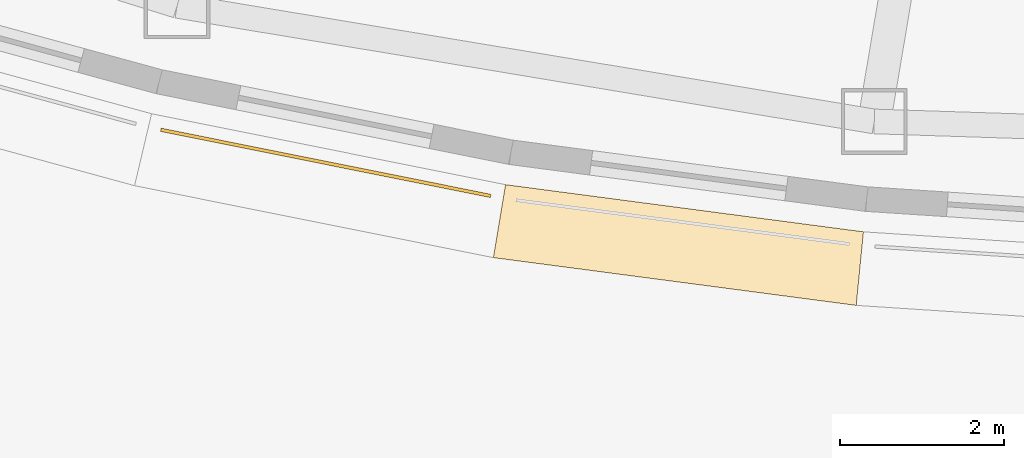
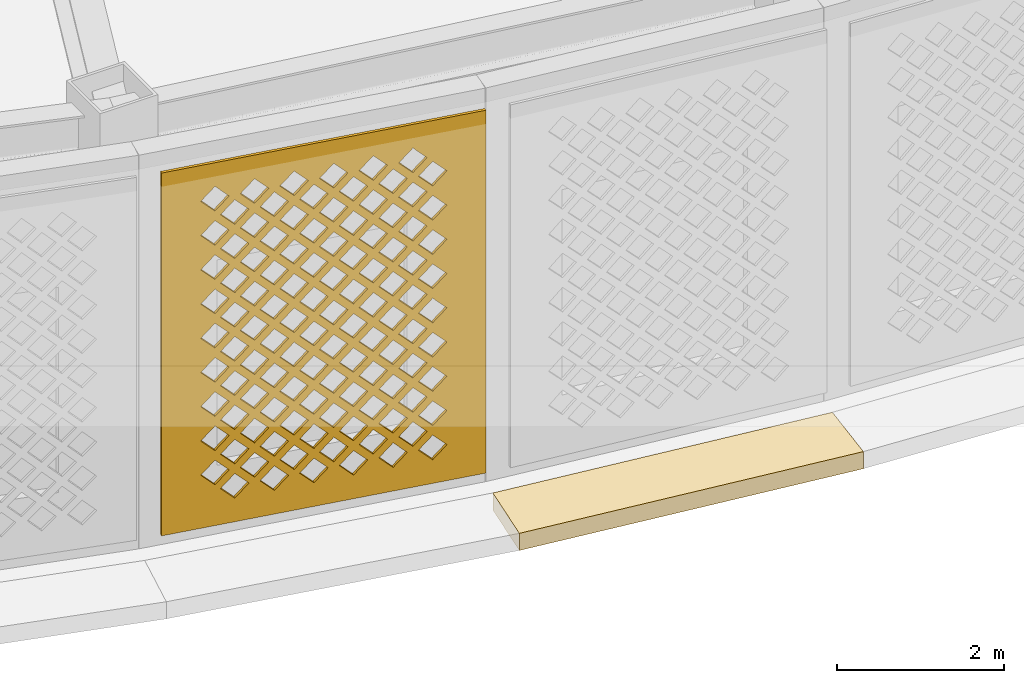
# One storey, part 54 of 74: 2 coverings.
"""IFC4 building model written with IfcOpenShell, lengths in metres."""

from ifc_helpers import new_model, si_unit, direction, frame, origin, place, context, subcontext, project, spatial, polyline, outline, extrude, material, layer, layer_set, type_object, element, save


model = new_model("IFC4")

# Units and contexts
model_context = context("Model", 3, precision=1e-05, world=origin(), true_north=direction((0.0, 1.0)))
body_context = subcontext(model_context, "Body", "Model", "MODEL_VIEW")
ifc_project = project(units=[si_unit("LENGTHUNIT", "METRE"), si_unit("AREAUNIT", "SQUARE_METRE"), si_unit("VOLUMEUNIT", "CUBIC_METRE"), si_unit("PLANEANGLEUNIT", "RADIAN"), si_unit("MASSUNIT", "GRAM", prefix="KILO")], contexts=[model_context])

# Site, building, storey
site_placement = place(None, origin())
site = spatial("IfcSite", under=ifc_project, at=site_placement, CompositionType="ELEMENT")
building_placement = place(site_placement, origin())
building = spatial("IfcBuilding", under=site, at=building_placement, Name="Noorbagh Ring Tower", CompositionType="ELEMENT")
storey_placement = place(building_placement, frame((0.0, 0.0, 7.5)))
storey = spatial("IfcBuildingStorey", under=building, at=storey_placement, Name="L01", CompositionType="ELEMENT", Elevation=7.5)

# Coverings
ifc_material_1 = material(Name="Red sandstone eave", Category="masonry")
covering_type_1 = type_object("IfcCoveringType", Name="STY-CHHAJJA", PredefinedType="USERDEFINED", material=ifc_material_1)
covering_1_placement = place(storey_placement, frame((0.0, 0.0, -0.25)))
element("IfcCovering", 1, at=covering_1_placement, inside=storey, type_object=covering_type_1, Name="Chhajja eave", ObjectType="CHHAJJA", PredefinedType="USERDEFINED", context=body_context, shape_type="SweptSolid", body=[
    extrude(outline(polyline([(-10.945556640625, -39.103759765625), (-6.586181640625, -39.677978515625), (-6.67431640625, -40.573974609375), (-11.093017578125, -39.9921875), (-10.945556640625, -39.103759765625)])), origin(), (0.0, 0.0, 1.0), 0.25),
])
ifc_material_2 = material(Name="Red sandstone jali", Category="masonry")
ifc_layer = layer(ifc_material_2, 0.0400390625)
ifc_layer_set = layer_set([ifc_layer], Name="Red sandstone jali")
covering_type_2 = type_object("IfcCoveringType", Name="STY-JALI", PredefinedType="USERDEFINED", material=ifc_layer_set)
covering_2_placement = place(storey_placement, frame((-15.147216796875, -38.455322265625, 0.449951171875), z_axis=(-0.196528665711, -0.980498079322, 0.0), x_axis=(0.980498079322, -0.196528665711, 0.0)))
element("IfcCovering", 2, at=covering_2_placement, inside=storey, type_object=covering_type_2, Name="Jali screen", ObjectType="SCREEN", PredefinedType="USERDEFINED", context=body_context, shape_type="SweptSolid", body=[
    extrude(outline(polyline([(0.0, 0.0), (4.096923828125, 0.0), (4.096923828125, 5.300048828125), (0.0, 5.300048828125), (0.0, 0.0)]), holes=[polyline([(0.743408203125, 0.52490234375), (0.923583984375, 0.344970703125), (1.103515625, 0.52490234375), (0.923583984375, 0.705078125), (0.743408203125, 0.52490234375)]), polyline([(1.243408203125, 0.52490234375), (1.423583984375, 0.344970703125), (1.603515625, 0.52490234375), (1.423583984375, 0.705078125), (1.243408203125, 0.52490234375)]), polyline([(1.743408203125, 0.52490234375), (1.923583984375, 0.344970703125), (2.103515625, 0.52490234375), (1.923583984375, 0.705078125), (1.743408203125, 0.52490234375)]), polyline([(2.243408203125, 0.52490234375), (2.423583984375, 0.344970703125), (2.603515625, 0.52490234375), (2.423583984375, 0.705078125), (2.243408203125, 0.52490234375)]), polyline([(2.743408203125, 0.52490234375), (2.923583984375, 0.344970703125), (3.103515625, 0.52490234375), (2.923583984375, 0.705078125), (2.743408203125, 0.52490234375)]), polyline([(3.243408203125, 0.52490234375), (3.423583984375, 0.344970703125), (3.603515625, 0.52490234375), (3.423583984375, 0.705078125), (3.243408203125, 0.52490234375)]), polyline([(0.493408203125, 0.77490234375), (0.673583984375, 0.594970703125), (0.853515625, 0.77490234375), (0.673583984375, 0.955078125), (0.493408203125, 0.77490234375)]), polyline([(0.993408203125, 0.77490234375), (1.173583984375, 0.594970703125), (1.353515625, 0.77490234375), (1.173583984375, 0.955078125), (0.993408203125, 0.77490234375)]), polyline([(1.493408203125, 0.77490234375), (1.673583984375, 0.594970703125), (1.853515625, 0.77490234375), (1.673583984375, 0.955078125), (1.493408203125, 0.77490234375)]), polyline([(1.993408203125, 0.77490234375), (2.173583984375, 0.594970703125), (2.353515625, 0.77490234375), (2.173583984375, 0.955078125), (1.993408203125, 0.77490234375)]), polyline([(2.493408203125, 0.77490234375), (2.673583984375, 0.594970703125), (2.853515625, 0.77490234375), (2.673583984375, 0.955078125), (2.493408203125, 0.77490234375)]), polyline([(2.993408203125, 0.77490234375), (3.173583984375, 0.594970703125), (3.353515625, 0.77490234375), (3.173583984375, 0.955078125), (2.993408203125, 0.77490234375)]), polyline([(0.743408203125, 1.02490234375), (0.923583984375, 0.844970703125), (1.103515625, 1.02490234375), (0.923583984375, 1.205078125), (0.743408203125, 1.02490234375)]), polyline([(1.243408203125, 1.02490234375), (1.423583984375, 0.844970703125), (1.603515625, 1.02490234375), (1.423583984375, 1.205078125), (1.243408203125, 1.02490234375)]), polyline([(1.743408203125, 1.02490234375), (1.923583984375, 0.844970703125), (2.103515625, 1.02490234375), (1.923583984375, 1.205078125), (1.743408203125, 1.02490234375)]), polyline([(2.243408203125, 1.02490234375), (2.423583984375, 0.844970703125), (2.603515625, 1.02490234375), (2.423583984375, 1.205078125), (2.243408203125, 1.02490234375)]), polyline([(2.743408203125, 1.02490234375), (2.923583984375, 0.844970703125), (3.103515625, 1.02490234375), (2.923583984375, 1.205078125), (2.743408203125, 1.02490234375)]), polyline([(3.243408203125, 1.02490234375), (3.423583984375, 0.844970703125), (3.603515625, 1.02490234375), (3.423583984375, 1.205078125), (3.243408203125, 1.02490234375)]), polyline([(0.493408203125, 1.27490234375), (0.673583984375, 1.094970703125), (0.853515625, 1.27490234375), (0.673583984375, 1.455078125), (0.493408203125, 1.27490234375)]), polyline([(0.993408203125, 1.27490234375), (1.173583984375, 1.094970703125), (1.353515625, 1.27490234375), (1.173583984375, 1.455078125), (0.993408203125, 1.27490234375)]), polyline([(1.493408203125, 1.27490234375), (1.673583984375, 1.094970703125), (1.853515625, 1.27490234375), (1.673583984375, 1.455078125), (1.493408203125, 1.27490234375)]), polyline([(1.993408203125, 1.27490234375), (2.173583984375, 1.094970703125), (2.353515625, 1.27490234375), (2.173583984375, 1.455078125), (1.993408203125, 1.27490234375)]), polyline([(2.493408203125, 1.27490234375), (2.673583984375, 1.094970703125), (2.853515625, 1.27490234375), (2.673583984375, 1.455078125), (2.493408203125, 1.27490234375)]), polyline([(2.993408203125, 1.27490234375), (3.173583984375, 1.094970703125), (3.353515625, 1.27490234375), (3.173583984375, 1.455078125), (2.993408203125, 1.27490234375)]), polyline([(0.743408203125, 1.52490234375), (0.923583984375, 1.344970703125), (1.103515625, 1.52490234375), (0.923583984375, 1.705078125), (0.743408203125, 1.52490234375)]), polyline([(1.243408203125, 1.52490234375), (1.423583984375, 1.344970703125), (1.603515625, 1.52490234375), (1.423583984375, 1.705078125), (1.243408203125, 1.52490234375)]), polyline([(1.743408203125, 1.52490234375), (1.923583984375, 1.344970703125), (2.103515625, 1.52490234375), (1.923583984375, 1.705078125), (1.743408203125, 1.52490234375)]), polyline([(2.243408203125, 1.52490234375), (2.423583984375, 1.344970703125), (2.603515625, 1.52490234375), (2.423583984375, 1.705078125), (2.243408203125, 1.52490234375)]), polyline([(2.743408203125, 1.52490234375), (2.923583984375, 1.344970703125), (3.103515625, 1.52490234375), (2.923583984375, 1.705078125), (2.743408203125, 1.52490234375)]), polyline([(3.243408203125, 1.52490234375), (3.423583984375, 1.344970703125), (3.603515625, 1.52490234375), (3.423583984375, 1.705078125), (3.243408203125, 1.52490234375)]), polyline([(0.493408203125, 1.77490234375), (0.673583984375, 1.594970703125), (0.853515625, 1.77490234375), (0.673583984375, 1.955078125), (0.493408203125, 1.77490234375)]), polyline([(0.993408203125, 1.77490234375), (1.173583984375, 1.594970703125), (1.353515625, 1.77490234375), (1.173583984375, 1.955078125), (0.993408203125, 1.77490234375)]), polyline([(1.493408203125, 1.77490234375), (1.673583984375, 1.594970703125), (1.853515625, 1.77490234375), (1.673583984375, 1.955078125), (1.493408203125, 1.77490234375)]), polyline([(1.993408203125, 1.77490234375), (2.173583984375, 1.594970703125), (2.353515625, 1.77490234375), (2.173583984375, 1.955078125), (1.993408203125, 1.77490234375)]), polyline([(2.493408203125, 1.77490234375), (2.673583984375, 1.594970703125), (2.853515625, 1.77490234375), (2.673583984375, 1.955078125), (2.493408203125, 1.77490234375)]), polyline([(2.993408203125, 1.77490234375), (3.173583984375, 1.594970703125), (3.353515625, 1.77490234375), (3.173583984375, 1.955078125), (2.993408203125, 1.77490234375)]), polyline([(0.743408203125, 2.02490234375), (0.923583984375, 1.844970703125), (1.103515625, 2.02490234375), (0.923583984375, 2.205078125), (0.743408203125, 2.02490234375)]), polyline([(1.243408203125, 2.02490234375), (1.423583984375, 1.844970703125), (1.603515625, 2.02490234375), (1.423583984375, 2.205078125), (1.243408203125, 2.02490234375)]), polyline([(1.743408203125, 2.02490234375), (1.923583984375, 1.844970703125), (2.103515625, 2.02490234375), (1.923583984375, 2.205078125), (1.743408203125, 2.02490234375)]), polyline([(2.243408203125, 2.02490234375), (2.423583984375, 1.844970703125), (2.603515625, 2.02490234375), (2.423583984375, 2.205078125), (2.243408203125, 2.02490234375)]), polyline([(2.743408203125, 2.02490234375), (2.923583984375, 1.844970703125), (3.103515625, 2.02490234375), (2.923583984375, 2.205078125), (2.743408203125, 2.02490234375)]), polyline([(3.243408203125, 2.02490234375), (3.423583984375, 1.844970703125), (3.603515625, 2.02490234375), (3.423583984375, 2.205078125), (3.243408203125, 2.02490234375)]), polyline([(0.493408203125, 2.27490234375), (0.673583984375, 2.094970703125), (0.853515625, 2.27490234375), (0.673583984375, 2.455078125), (0.493408203125, 2.27490234375)]), polyline([(0.993408203125, 2.27490234375), (1.173583984375, 2.094970703125), (1.353515625, 2.27490234375), (1.173583984375, 2.455078125), (0.993408203125, 2.27490234375)]), polyline([(1.493408203125, 2.27490234375), (1.673583984375, 2.094970703125), (1.853515625, 2.27490234375), (1.673583984375, 2.455078125), (1.493408203125, 2.27490234375)]), polyline([(1.993408203125, 2.27490234375), (2.173583984375, 2.094970703125), (2.353515625, 2.27490234375), (2.173583984375, 2.455078125), (1.993408203125, 2.27490234375)]), polyline([(2.493408203125, 2.27490234375), (2.673583984375, 2.094970703125), (2.853515625, 2.27490234375), (2.673583984375, 2.455078125), (2.493408203125, 2.27490234375)]), polyline([(2.993408203125, 2.27490234375), (3.173583984375, 2.094970703125), (3.353515625, 2.27490234375), (3.173583984375, 2.455078125), (2.993408203125, 2.27490234375)]), polyline([(0.743408203125, 2.52490234375), (0.923583984375, 2.344970703125), (1.103515625, 2.52490234375), (0.923583984375, 2.705078125), (0.743408203125, 2.52490234375)]), polyline([(1.243408203125, 2.52490234375), (1.423583984375, 2.344970703125), (1.603515625, 2.52490234375), (1.423583984375, 2.705078125), (1.243408203125, 2.52490234375)]), polyline([(1.743408203125, 2.52490234375), (1.923583984375, 2.344970703125), (2.103515625, 2.52490234375), (1.923583984375, 2.705078125), (1.743408203125, 2.52490234375)]), polyline([(2.243408203125, 2.52490234375), (2.423583984375, 2.344970703125), (2.603515625, 2.52490234375), (2.423583984375, 2.705078125), (2.243408203125, 2.52490234375)]), polyline([(2.743408203125, 2.52490234375), (2.923583984375, 2.344970703125), (3.103515625, 2.52490234375), (2.923583984375, 2.705078125), (2.743408203125, 2.52490234375)]), polyline([(3.243408203125, 2.52490234375), (3.423583984375, 2.344970703125), (3.603515625, 2.52490234375), (3.423583984375, 2.705078125), (3.243408203125, 2.52490234375)]), polyline([(0.493408203125, 2.77490234375), (0.673583984375, 2.594970703125), (0.853515625, 2.77490234375), (0.673583984375, 2.955078125), (0.493408203125, 2.77490234375)]), polyline([(0.993408203125, 2.77490234375), (1.173583984375, 2.594970703125), (1.353515625, 2.77490234375), (1.173583984375, 2.955078125), (0.993408203125, 2.77490234375)]), polyline([(1.493408203125, 2.77490234375), (1.673583984375, 2.594970703125), (1.853515625, 2.77490234375), (1.673583984375, 2.955078125), (1.493408203125, 2.77490234375)]), polyline([(1.993408203125, 2.77490234375), (2.173583984375, 2.594970703125), (2.353515625, 2.77490234375), (2.173583984375, 2.955078125), (1.993408203125, 2.77490234375)]), polyline([(2.493408203125, 2.77490234375), (2.673583984375, 2.594970703125), (2.853515625, 2.77490234375), (2.673583984375, 2.955078125), (2.493408203125, 2.77490234375)]), polyline([(2.993408203125, 2.77490234375), (3.173583984375, 2.594970703125), (3.353515625, 2.77490234375), (3.173583984375, 2.955078125), (2.993408203125, 2.77490234375)]), polyline([(0.743408203125, 3.02490234375), (0.923583984375, 2.844970703125), (1.103515625, 3.02490234375), (0.923583984375, 3.205078125), (0.743408203125, 3.02490234375)]), polyline([(1.243408203125, 3.02490234375), (1.423583984375, 2.844970703125), (1.603515625, 3.02490234375), (1.423583984375, 3.205078125), (1.243408203125, 3.02490234375)]), polyline([(1.743408203125, 3.02490234375), (1.923583984375, 2.844970703125), (2.103515625, 3.02490234375), (1.923583984375, 3.205078125), (1.743408203125, 3.02490234375)]), polyline([(2.243408203125, 3.02490234375), (2.423583984375, 2.844970703125), (2.603515625, 3.02490234375), (2.423583984375, 3.205078125), (2.243408203125, 3.02490234375)]), polyline([(2.743408203125, 3.02490234375), (2.923583984375, 2.844970703125), (3.103515625, 3.02490234375), (2.923583984375, 3.205078125), (2.743408203125, 3.02490234375)]), polyline([(3.243408203125, 3.02490234375), (3.423583984375, 2.844970703125), (3.603515625, 3.02490234375), (3.423583984375, 3.205078125), (3.243408203125, 3.02490234375)]), polyline([(0.493408203125, 3.27490234375), (0.673583984375, 3.094970703125), (0.853515625, 3.27490234375), (0.673583984375, 3.455078125), (0.493408203125, 3.27490234375)]), polyline([(0.993408203125, 3.27490234375), (1.173583984375, 3.094970703125), (1.353515625, 3.27490234375), (1.173583984375, 3.455078125), (0.993408203125, 3.27490234375)]), polyline([(1.493408203125, 3.27490234375), (1.673583984375, 3.094970703125), (1.853515625, 3.27490234375), (1.673583984375, 3.455078125), (1.493408203125, 3.27490234375)]), polyline([(1.993408203125, 3.27490234375), (2.173583984375, 3.094970703125), (2.353515625, 3.27490234375), (2.173583984375, 3.455078125), (1.993408203125, 3.27490234375)]), polyline([(2.493408203125, 3.27490234375), (2.673583984375, 3.094970703125), (2.853515625, 3.27490234375), (2.673583984375, 3.455078125), (2.493408203125, 3.27490234375)]), polyline([(2.993408203125, 3.27490234375), (3.173583984375, 3.094970703125), (3.353515625, 3.27490234375), (3.173583984375, 3.455078125), (2.993408203125, 3.27490234375)]), polyline([(0.743408203125, 3.52490234375), (0.923583984375, 3.344970703125), (1.103515625, 3.52490234375), (0.923583984375, 3.705078125), (0.743408203125, 3.52490234375)]), polyline([(1.243408203125, 3.52490234375), (1.423583984375, 3.344970703125), (1.603515625, 3.52490234375), (1.423583984375, 3.705078125), (1.243408203125, 3.52490234375)]), polyline([(1.743408203125, 3.52490234375), (1.923583984375, 3.344970703125), (2.103515625, 3.52490234375), (1.923583984375, 3.705078125), (1.743408203125, 3.52490234375)]), polyline([(2.243408203125, 3.52490234375), (2.423583984375, 3.344970703125), (2.603515625, 3.52490234375), (2.423583984375, 3.705078125), (2.243408203125, 3.52490234375)]), polyline([(2.743408203125, 3.52490234375), (2.923583984375, 3.344970703125), (3.103515625, 3.52490234375), (2.923583984375, 3.705078125), (2.743408203125, 3.52490234375)]), polyline([(3.243408203125, 3.52490234375), (3.423583984375, 3.344970703125), (3.603515625, 3.52490234375), (3.423583984375, 3.705078125), (3.243408203125, 3.52490234375)]), polyline([(0.493408203125, 3.77490234375), (0.673583984375, 3.594970703125), (0.853515625, 3.77490234375), (0.673583984375, 3.955078125), (0.493408203125, 3.77490234375)]), polyline([(0.993408203125, 3.77490234375), (1.173583984375, 3.594970703125), (1.353515625, 3.77490234375), (1.173583984375, 3.955078125), (0.993408203125, 3.77490234375)]), polyline([(1.493408203125, 3.77490234375), (1.673583984375, 3.594970703125), (1.853515625, 3.77490234375), (1.673583984375, 3.955078125), (1.493408203125, 3.77490234375)]), polyline([(1.993408203125, 3.77490234375), (2.173583984375, 3.594970703125), (2.353515625, 3.77490234375), (2.173583984375, 3.955078125), (1.993408203125, 3.77490234375)]), polyline([(2.493408203125, 3.77490234375), (2.673583984375, 3.594970703125), (2.853515625, 3.77490234375), (2.673583984375, 3.955078125), (2.493408203125, 3.77490234375)]), polyline([(2.993408203125, 3.77490234375), (3.173583984375, 3.594970703125), (3.353515625, 3.77490234375), (3.173583984375, 3.955078125), (2.993408203125, 3.77490234375)]), polyline([(0.743408203125, 4.02490234375), (0.923583984375, 3.844970703125), (1.103515625, 4.02490234375), (0.923583984375, 4.205078125), (0.743408203125, 4.02490234375)]), polyline([(1.243408203125, 4.02490234375), (1.423583984375, 3.844970703125), (1.603515625, 4.02490234375), (1.423583984375, 4.205078125), (1.243408203125, 4.02490234375)]), polyline([(1.743408203125, 4.02490234375), (1.923583984375, 3.844970703125), (2.103515625, 4.02490234375), (1.923583984375, 4.205078125), (1.743408203125, 4.02490234375)]), polyline([(2.243408203125, 4.02490234375), (2.423583984375, 3.844970703125), (2.603515625, 4.02490234375), (2.423583984375, 4.205078125), (2.243408203125, 4.02490234375)]), polyline([(2.743408203125, 4.02490234375), (2.923583984375, 3.844970703125), (3.103515625, 4.02490234375), (2.923583984375, 4.205078125), (2.743408203125, 4.02490234375)]), polyline([(3.243408203125, 4.02490234375), (3.423583984375, 3.844970703125), (3.603515625, 4.02490234375), (3.423583984375, 4.205078125), (3.243408203125, 4.02490234375)]), polyline([(0.493408203125, 4.27490234375), (0.673583984375, 4.094970703125), (0.853515625, 4.27490234375), (0.673583984375, 4.455078125), (0.493408203125, 4.27490234375)]), polyline([(0.993408203125, 4.27490234375), (1.173583984375, 4.094970703125), (1.353515625, 4.27490234375), (1.173583984375, 4.455078125), (0.993408203125, 4.27490234375)]), polyline([(1.493408203125, 4.27490234375), (1.673583984375, 4.094970703125), (1.853515625, 4.27490234375), (1.673583984375, 4.455078125), (1.493408203125, 4.27490234375)]), polyline([(1.993408203125, 4.27490234375), (2.173583984375, 4.094970703125), (2.353515625, 4.27490234375), (2.173583984375, 4.455078125), (1.993408203125, 4.27490234375)]), polyline([(2.493408203125, 4.27490234375), (2.673583984375, 4.094970703125), (2.853515625, 4.27490234375), (2.673583984375, 4.455078125), (2.493408203125, 4.27490234375)]), polyline([(2.993408203125, 4.27490234375), (3.173583984375, 4.094970703125), (3.353515625, 4.27490234375), (3.173583984375, 4.455078125), (2.993408203125, 4.27490234375)]), polyline([(0.743408203125, 4.52490234375), (0.923583984375, 4.344970703125), (1.103515625, 4.52490234375), (0.923583984375, 4.705078125), (0.743408203125, 4.52490234375)]), polyline([(1.243408203125, 4.52490234375), (1.423583984375, 4.344970703125), (1.603515625, 4.52490234375), (1.423583984375, 4.705078125), (1.243408203125, 4.52490234375)]), polyline([(1.743408203125, 4.52490234375), (1.923583984375, 4.344970703125), (2.103515625, 4.52490234375), (1.923583984375, 4.705078125), (1.743408203125, 4.52490234375)]), polyline([(2.243408203125, 4.52490234375), (2.423583984375, 4.344970703125), (2.603515625, 4.52490234375), (2.423583984375, 4.705078125), (2.243408203125, 4.52490234375)]), polyline([(2.743408203125, 4.52490234375), (2.923583984375, 4.344970703125), (3.103515625, 4.52490234375), (2.923583984375, 4.705078125), (2.743408203125, 4.52490234375)]), polyline([(3.243408203125, 4.52490234375), (3.423583984375, 4.344970703125), (3.603515625, 4.52490234375), (3.423583984375, 4.705078125), (3.243408203125, 4.52490234375)]), polyline([(0.493408203125, 4.77490234375), (0.673583984375, 4.594970703125), (0.853515625, 4.77490234375), (0.673583984375, 4.955078125), (0.493408203125, 4.77490234375)]), polyline([(0.993408203125, 4.77490234375), (1.173583984375, 4.594970703125), (1.353515625, 4.77490234375), (1.173583984375, 4.955078125), (0.993408203125, 4.77490234375)]), polyline([(1.493408203125, 4.77490234375), (1.673583984375, 4.594970703125), (1.853515625, 4.77490234375), (1.673583984375, 4.955078125), (1.493408203125, 4.77490234375)]), polyline([(1.993408203125, 4.77490234375), (2.173583984375, 4.594970703125), (2.353515625, 4.77490234375), (2.173583984375, 4.955078125), (1.993408203125, 4.77490234375)]), polyline([(2.493408203125, 4.77490234375), (2.673583984375, 4.594970703125), (2.853515625, 4.77490234375), (2.673583984375, 4.955078125), (2.493408203125, 4.77490234375)]), polyline([(2.993408203125, 4.77490234375), (3.173583984375, 4.594970703125), (3.353515625, 4.77490234375), (3.173583984375, 4.955078125), (2.993408203125, 4.77490234375)])]), origin(), (0.0, 0.0, -1.0), 0.0400390625),
])

save(model, "model.ifc")
